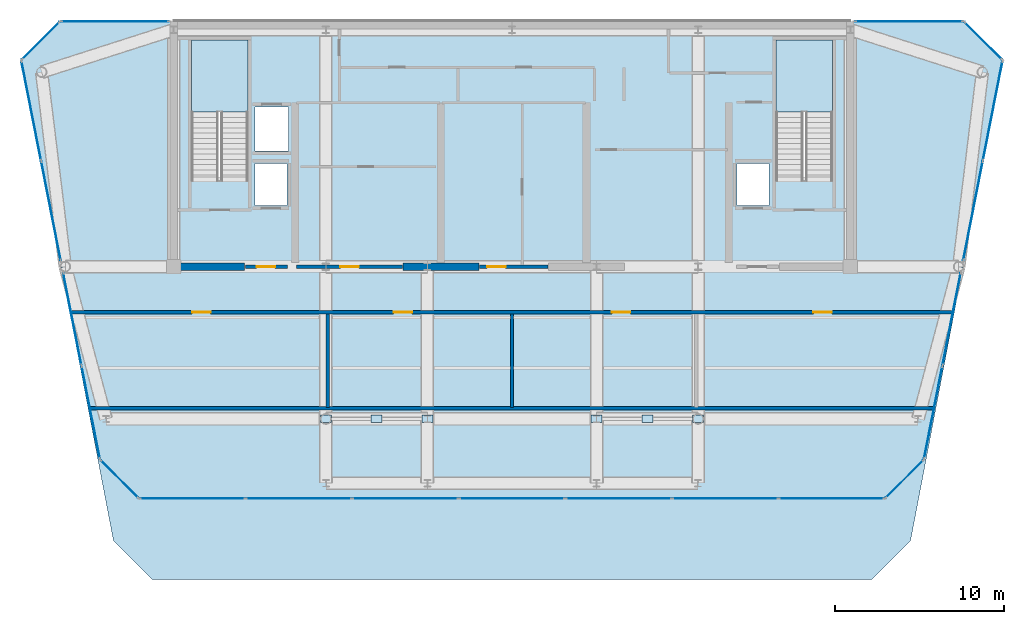
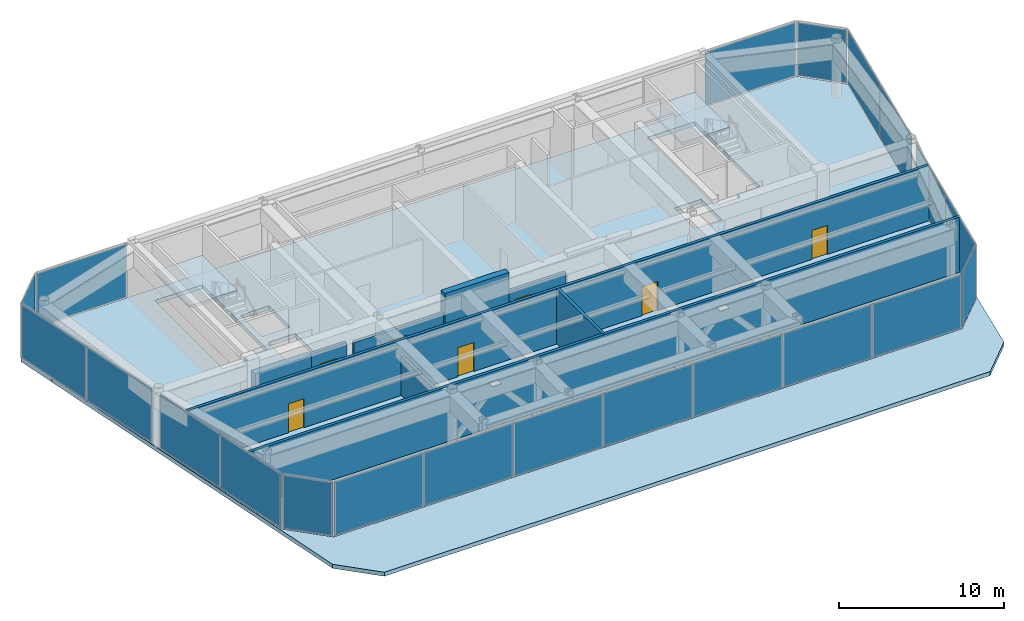
# One storey, part 7 of 12: 27 plates, 9 walls, 7 doors, 4 slabs, 7 openings, 13 elements without a shape of their own.
"""IFC4 building model written with IfcOpenShell, lengths in metres."""

from ifc_helpers import new_model, si_unit, direction, frame, frame_2d, origin, origin_2d, place, context, subcontext, project, spatial, polyline, rectangle, outline, extrude, source, transform, mapped, material, layer, layer_set, type_object, element, fill, aggregate, save


model = new_model("IFC4")

# Units and contexts
model_context = context("Model", 3, precision=1e-05, world=origin(), true_north=direction((0.0, 1.0)))
body_context = subcontext(model_context, "Body", "Model", "MODEL_VIEW")
ifc_project = project(units=[si_unit("LENGTHUNIT", "METRE"), si_unit("AREAUNIT", "SQUARE_METRE"), si_unit("VOLUMEUNIT", "CUBIC_METRE"), si_unit("PLANEANGLEUNIT", "RADIAN"), si_unit("MASSUNIT", "GRAM", prefix="KILO")], contexts=[model_context])

# Site, building, storey
site_placement = place(None, origin())
site = spatial("IfcSite", under=ifc_project, at=site_placement, CompositionType="ELEMENT")
building_placement = place(site_placement, origin())
building = spatial("IfcBuilding", under=site, at=building_placement, Name="Vaeldorn Concourse Tower", CompositionType="ELEMENT")
storey_placement = place(building_placement, frame((0.0, 0.0, 308.39990234375)))
storey = spatial("IfcBuildingStorey", under=building, at=storey_placement, Name="L79", CompositionType="ELEMENT", Elevation=308.39990234375)

# Slab
ifc_material_1 = material(Name="Concrete C40/50", Category="concrete")
ifc_layer_1 = layer(ifc_material_1, 0.300048828125)
ifc_layer_set_1 = layer_set([ifc_layer_1], Name="Concrete C40/50")
slab_type_1 = type_object("IfcSlabType", Name="SL-CROWN-ROOF", PredefinedType="ROOF", material=ifc_layer_set_1)
slab_1_placement = place(storey_placement, frame((0.0, 0.0, -0.2998046875)))
element("IfcSlab", 1, at=slab_1_placement, inside=storey, type_object=slab_type_1, Name="Stepped Crown Terrace Roof Slab L79", PredefinedType="ROOF", context=body_context, shape_type="SweptSolid", body=[
    extrude(outline(polyline([(62.460693359375, 45.88720703125), (58.36181640625, 25.09716796875), (58.361328125, 25.095703125), (58.36083984375, 25.09423828125), (58.360107421875, 25.093017578125), (58.359619140625, 25.091796875), (58.358642578125, 25.090576171875), (58.357666015625, 25.08935546875), (56.0576171875, 22.789306640625), (56.056396484375, 22.788330078125), (56.055419921875, 22.78759765625), (56.05419921875, 22.786865234375), (56.052734375, 22.7861328125), (56.051513671875, 22.78564453125), (56.0498046875, 22.785400390625), (56.048583984375, 22.78515625), (56.047119140625, 22.784912109375), (11.952880859375, 22.784912109375), (11.951416015625, 22.78515625), (11.9501953125, 22.785400390625), (11.948486328125, 22.78564453125), (11.947265625, 22.7861328125), (11.94580078125, 22.786865234375), (11.944580078125, 22.78759765625), (11.943603515625, 22.788330078125), (11.9423828125, 22.789306640625), (9.642333984375, 25.08935546875), (9.641357421875, 25.090576171875), (9.640380859375, 25.091796875), (9.639892578125, 25.093017578125), (9.63916015625, 25.09423828125), (9.638671875, 25.095703125), (9.63818359375, 25.09716796875), (5.539306640625, 45.88720703125), (10.445068359375, 20.300048828125), (12.7451171875, 18.0), (55.2548828125, 18.0), (57.554931640625, 20.300048828125), (62.460693359375, 45.88720703125)])), origin(), (0.0, 0.0, 1.0), 0.2998046875),
])

# Stair, slab
ifc_material_2 = material(Name="Precast concrete C40/50", Category="concrete")
stair_type = type_object("IfcStairType", Name="STR-DOG-28x157", PredefinedType="HALF_TURN_STAIR", material=ifc_material_2)
stair_1_placement = place(storey_placement, origin())
stair_1 = element("IfcStair", 2, at=stair_1_placement, inside=storey, type_object=stair_type, Name="L79 West Core Exit Stair ST-1", PredefinedType="HALF_TURN_STAIR")
ifc_layer_2 = layer(ifc_material_1, 0.199951171875)
ifc_layer_set_2 = layer_set([ifc_layer_2], Name="Concrete C40/50")
slab_type_2 = type_object("IfcSlabType", Name="SL-STAIR-LANDING", PredefinedType="LANDING", material=ifc_layer_set_2)
slab_2_placement = place(storey_placement, frame((0.0, 0.0, 2.0)))
slab_2 = element("IfcSlab", 3, at=slab_2_placement, type_object=slab_type_2, Name="ST-1 landing 1", PredefinedType="LANDING", context=body_context, shape_type="SweptSolid", body=[
    extrude(outline(polyline([(18.39990234375, 45.6298828125), (18.39990234375, 49.89990234375), (15.050048828125, 49.89990234375), (15.050048828125, 45.6298828125), (18.39990234375, 45.6298828125)])), origin(), (0.0, 0.0, 1.0), 0.2001953125),
])
aggregate(stair_1, [slab_2])

stair_2_placement = place(storey_placement, origin())
stair_2 = element("IfcStair", 4, at=stair_2_placement, inside=storey, type_object=stair_type, Name="L79 East Core Exit Stair ST-2", PredefinedType="HALF_TURN_STAIR")
slab_3_placement = place(storey_placement, frame((0.0, 0.0, 2.0)))
slab_3 = element("IfcSlab", 5, at=slab_3_placement, type_object=slab_type_2, Name="ST-2 landing 1", PredefinedType="LANDING", context=body_context, shape_type="SweptSolid", body=[
    extrude(outline(polyline([(52.949951171875, 45.6298828125), (52.949951171875, 49.89990234375), (49.60009765625, 49.89990234375), (49.60009765625, 45.6298828125), (52.949951171875, 45.6298828125)])), origin(), (0.0, 0.0, 1.0), 0.2001953125),
])
aggregate(stair_2, [slab_3])

# Slab
ifc_layer_3 = layer(ifc_material_1, 0.260009765625)
ifc_layer_set_3 = layer_set([ifc_layer_3], Name="Concrete C40/50")
slab_type_3 = type_object("IfcSlabType", Name="SL-TRN-260", PredefinedType="FLOOR", material=ifc_layer_set_3)
slab_4_placement = place(storey_placement, frame((0.0, 0.0, -0.2998046875)))
element("IfcSlab", 6, at=slab_4_placement, inside=storey, type_object=slab_type_3, Name="Structural Floor Slab L79", PredefinedType="FLOOR", context=body_context, shape_type="SweptSolid", body=[
    extrude(outline(polyline([(11.952880859375, 22.800048828125), (56.047119140625, 22.800048828125), (58.346923828125, 25.10009765625), (63.0, 48.699951171875), (60.699951171875, 51.0), (7.300048828125, 51.0), (5.0, 48.699951171875), (9.653076171875, 25.10009765625), (11.952880859375, 22.800048828125)]), holes=[polyline([(18.39990234375, 42.0), (18.39990234375, 49.89990234375), (15.050048828125, 49.89990234375), (15.050048828125, 41.60009765625), (16.800048828125, 41.60009765625), (16.800048828125, 42.0), (18.39990234375, 42.0)]), polyline([(52.949951171875, 42.0), (52.949951171875, 49.89990234375), (49.60009765625, 49.89990234375), (49.60009765625, 41.60009765625), (51.35009765625, 41.60009765625), (51.35009765625, 42.0), (52.949951171875, 42.0)]), polyline([(18.800048828125, 43.35009765625), (20.800048828125, 43.35009765625), (20.800048828125, 45.949951171875), (18.800048828125, 45.949951171875), (18.800048828125, 43.35009765625)]), polyline([(18.800048828125, 40.10009765625), (20.699951171875, 40.10009765625), (20.699951171875, 42.60009765625), (18.800048828125, 42.60009765625), (18.800048828125, 40.10009765625)]), polyline([(47.300048828125, 40.10009765625), (49.199951171875, 40.10009765625), (49.199951171875, 42.60009765625), (47.300048828125, 42.60009765625), (47.300048828125, 40.10009765625)])]), origin(), (0.0, 0.0, 1.0), 0.2998046875),
])

# Plates
ifc_material_3 = material(Name="Steel S460", Category="steel")
ifc_layer_4 = layer(ifc_material_3, 0.034912109375)
ifc_layer_set_4 = layer_set([ifc_layer_4], Name="Steel S460")
plate_type_1 = type_object("IfcPlateType", Name="PL-GUSSET-KN1", PredefinedType="USERDEFINED", material=ifc_layer_set_4)
shared_shape_1 = source(origin(), body_context, "Body", "SweptSolid", [
    extrude(rectangle(XDim=0.64990234375, YDim=0.449951171875, at=origin_2d()), origin(), (0.0, 0.0, 1.0), 0.034912109375),
])
for number, where, z_axis, x_axis, name in (
    (7, (23.0, 27.5, 0.232421875), (0.0, 0.0, 1.0), (1.0, 0.0, 0.0), "Structural Brace Connection Gusset L79-01"),
    (8, (26.0, 27.5, 3.58251953125), (0.0, 0.0, 1.0), (1.0, 0.0, 0.0), "Structural Brace Connection Gusset L79-02"),
    (9, (29.0, 27.5, 0.232421875), (0.0, 0.0, 1.0), (1.0, 0.0, 0.0), "Structural Brace Connection Gusset L79-03"),
    (10, (39.0, 27.5, 0.232421875), (0.0, 0.0, 1.0), (1.0, 0.0, 0.0), "Structural Brace Connection Gusset L79-04"),
    (11, (42.0, 27.5, 3.58251953125), (0.0, 0.0, 1.0), (1.0, 0.0, 0.0), "Structural Brace Connection Gusset L79-05"),
    (12, (45.0, 27.5, 0.232421875), (0.0, 0.0, 1.0), (1.0, 0.0, 0.0), "Structural Brace Connection Gusset L79-06"),
):
    element("IfcPlate", number, at=place(storey_placement, frame(where, z_axis=z_axis, x_axis=x_axis)), inside=storey, type_object=plate_type_1, Name=name, ObjectType="GUSSET PLATE", PredefinedType="USERDEFINED", context=body_context, shape_type="MappedRepresentation", body=[
        mapped(shared_shape_1, transform((0.0, 0.0, 0.0), scale=1.0)),
    ])

# Curtain wall, plates
ifc_material_4 = material(Name="Anodised Bronze Aluminium", Category="aluminium")
ifc_layer_5 = layer(ifc_material_4, 0.22998046875)
ifc_layer_set_5 = layer_set([ifc_layer_5], Name="Anodised Bronze Aluminium")
curtain_wall_type = type_object("IfcCurtainWallType", Name="CW-SYS-07", PredefinedType="NOTDEFINED", material=ifc_layer_set_5)
curtain_wall_1_placement = place(storey_placement, origin())
curtain_wall_1 = element("IfcCurtainWall", 13, at=curtain_wall_1_placement, inside=storey, type_object=curtain_wall_type, Name="Unitised Curtain Wall CW-L79-E01-1", PredefinedType="NOTDEFINED")
ifc_material_5 = material(Name="Bronze Fritted Spandrel Insulated Glass", Category="glass")
ifc_layer_6 = layer(ifc_material_5, 0.035888671875)
ifc_layer_set_6 = layer_set([ifc_layer_6], Name="Bronze Fritted Spandrel Insulated Glass")
plate_type_2 = type_object("IfcPlateType", Name="CWP-SPANDREL-36", PredefinedType="CURTAIN_PANEL", material=ifc_layer_set_6)
shared_shape_2 = source(origin(), body_context, "Body", "SweptSolid", [
    extrude(rectangle(XDim=6.1865234375, YDim=0.035888671875, at=origin_2d()), origin(), (0.0, 0.0, 1.0), 3.949951171875),
])
plate_1_placement = place(storey_placement, frame((15.121337890625, 22.800048828125, 0.0751953125), z_axis=(0.0, 0.0, 1.0), x_axis=(1.0, 0.0, 0.0)))
plate_1 = element("IfcPlate", 14, at=plate_1_placement, type_object=plate_type_2, Name="CW-07 panel 1.1", PredefinedType="CURTAIN_PANEL", context=body_context, shape_type="MappedRepresentation", body=[
    mapped(shared_shape_2, transform((0.0, 0.0, 0.0), scale=1.0)),
])
plate_2_placement = place(storey_placement, frame((52.878662109375, 22.800048828125, 0.0751953125), z_axis=(0.0, 0.0, 1.0), x_axis=(1.0, 0.0, 0.0)))
plate_2 = element("IfcPlate", 15, at=plate_2_placement, type_object=plate_type_2, Name="CW-07 panel 7.1", PredefinedType="CURTAIN_PANEL", context=body_context, shape_type="MappedRepresentation", body=[
    mapped(shared_shape_2, transform((0.0, 0.0, 0.0), scale=1.0)),
])
shared_shape_3 = source(origin(), body_context, "Body", "SweptSolid", [
    extrude(rectangle(XDim=6.22412109375, YDim=0.035888671875, at=origin_2d()), origin(), (0.0, 0.0, 1.0), 3.949951171875),
])
plate_3_placement = place(storey_placement, frame((21.401611328125, 22.800048828125, 0.0751953125), z_axis=(0.0, 0.0, 1.0), x_axis=(1.0, 0.0, 0.0)))
plate_3 = element("IfcPlate", 16, at=plate_3_placement, type_object=plate_type_2, Name="CW-07 panel 2.1", PredefinedType="CURTAIN_PANEL", context=body_context, shape_type="MappedRepresentation", body=[
    mapped(shared_shape_3, transform((0.0, 0.0, 0.0), scale=1.0)),
])
plate_4_placement = place(storey_placement, frame((27.700927734375, 22.800048828125, 0.0751953125), z_axis=(0.0, 0.0, 1.0), x_axis=(1.0, 0.0, 0.0)))
plate_4 = element("IfcPlate", 17, at=plate_4_placement, type_object=plate_type_2, Name="CW-07 panel 3.1", PredefinedType="CURTAIN_PANEL", context=body_context, shape_type="MappedRepresentation", body=[
    mapped(shared_shape_3, transform((0.0, 0.0, 0.0), scale=1.0)),
])
plate_5_placement = place(storey_placement, frame((34.0, 22.800048828125, 0.0751953125), z_axis=(0.0, 0.0, 1.0), x_axis=(1.0, 0.0, 0.0)))
plate_5 = element("IfcPlate", 18, at=plate_5_placement, type_object=plate_type_2, Name="CW-07 panel 4.1", PredefinedType="CURTAIN_PANEL", context=body_context, shape_type="MappedRepresentation", body=[
    mapped(shared_shape_3, transform((0.0, 0.0, 0.0), scale=1.0)),
])
plate_6_placement = place(storey_placement, frame((40.299072265625, 22.800048828125, 0.0751953125), z_axis=(0.0, 0.0, 1.0), x_axis=(1.0, 0.0, 0.0)))
plate_6 = element("IfcPlate", 19, at=plate_6_placement, type_object=plate_type_2, Name="CW-07 panel 5.1", PredefinedType="CURTAIN_PANEL", context=body_context, shape_type="MappedRepresentation", body=[
    mapped(shared_shape_3, transform((0.0, 0.0, 0.0), scale=1.0)),
])
plate_7_placement = place(storey_placement, frame((46.598388671875, 22.800048828125, 0.0751953125), z_axis=(0.0, 0.0, 1.0), x_axis=(1.0, 0.0, 0.0)))
plate_7 = element("IfcPlate", 20, at=plate_7_placement, type_object=plate_type_2, Name="CW-07 panel 6.1", PredefinedType="CURTAIN_PANEL", context=body_context, shape_type="MappedRepresentation", body=[
    mapped(shared_shape_3, transform((0.0, 0.0, 0.0), scale=1.0)),
])
aggregate(curtain_wall_1, [plate_1, plate_3, plate_4, plate_5, plate_6, plate_7, plate_2])

# Curtain wall, plate
curtain_wall_2_placement = place(storey_placement, origin())
curtain_wall_2 = element("IfcCurtainWall", 21, at=curtain_wall_2_placement, inside=storey, type_object=curtain_wall_type, Name="Unitised Curtain Wall CW-L79-E02-1", PredefinedType="NOTDEFINED")
shared_shape_4 = source(origin(), body_context, "Body", "SweptSolid", [
    extrude(rectangle(XDim=3.102783203125, YDim=0.035888671875, at=origin_2d()), origin(), (0.0, 0.0, 1.0), 3.949951171875),
])
plate_8_placement = place(storey_placement, frame((57.197021484375, 23.949951171875, 0.0751953125), z_axis=(0.0, 0.0, 1.0), x_axis=(0.707106781187, 0.707106781187, 0.0)))
plate_8 = element("IfcPlate", 22, at=plate_8_placement, type_object=plate_type_2, Name="CW-07 panel 1.1", PredefinedType="CURTAIN_PANEL", context=body_context, shape_type="MappedRepresentation", body=[
    mapped(shared_shape_4, transform((0.0, 0.0, 0.0), scale=1.0)),
])
aggregate(curtain_wall_2, [plate_8])

curtain_wall_3_placement = place(storey_placement, origin())
curtain_wall_3 = element("IfcCurtainWall", 23, at=curtain_wall_3_placement, inside=storey, type_object=curtain_wall_type, Name="Unitised Curtain Wall CW-L79-E04-1", PredefinedType="NOTDEFINED")
plate_9_placement = place(storey_placement, frame((61.85009765625, 49.85009765625, 0.0751953125), z_axis=(0.0, 0.0, 1.0), x_axis=(-0.707106781187, 0.707106781187, 0.0)))
plate_9 = element("IfcPlate", 24, at=plate_9_placement, type_object=plate_type_2, Name="CW-07 panel 1.1", PredefinedType="CURTAIN_PANEL", context=body_context, shape_type="MappedRepresentation", body=[
    mapped(shared_shape_4, transform((0.0, 0.0, 0.0), scale=1.0)),
])
aggregate(curtain_wall_3, [plate_9])

curtain_wall_4_placement = place(storey_placement, origin())
curtain_wall_4 = element("IfcCurtainWall", 25, at=curtain_wall_4_placement, inside=storey, type_object=curtain_wall_type, Name="Unitised Curtain Wall CW-L79-E06-1", PredefinedType="NOTDEFINED")
plate_10_placement = place(storey_placement, frame((6.14990234375, 49.85009765625, 0.0751953125), z_axis=(0.0, 0.0, 1.0), x_axis=(-0.707106781187, -0.707106781187, 0.0)))
plate_10 = element("IfcPlate", 26, at=plate_10_placement, type_object=plate_type_2, Name="CW-07 panel 1.1", PredefinedType="CURTAIN_PANEL", context=body_context, shape_type="MappedRepresentation", body=[
    mapped(shared_shape_4, transform((0.0, 0.0, 0.0), scale=1.0)),
])
aggregate(curtain_wall_4, [plate_10])

curtain_wall_5_placement = place(storey_placement, origin())
curtain_wall_5 = element("IfcCurtainWall", 27, at=curtain_wall_5_placement, inside=storey, type_object=curtain_wall_type, Name="Unitised Curtain Wall CW-L79-E08-1", PredefinedType="NOTDEFINED")
plate_11_placement = place(storey_placement, frame((10.802978515625, 23.949951171875, 0.0751953125), z_axis=(0.0, 0.0, 1.0), x_axis=(0.707106781187, -0.707106781187, 0.0)))
plate_11 = element("IfcPlate", 28, at=plate_11_placement, type_object=plate_type_2, Name="CW-07 panel 1.1", PredefinedType="CURTAIN_PANEL", context=body_context, shape_type="MappedRepresentation", body=[
    mapped(shared_shape_4, transform((0.0, 0.0, 0.0), scale=1.0)),
])
aggregate(curtain_wall_5, [plate_11])

# Curtain wall, plates
curtain_wall_6_placement = place(storey_placement, origin())
curtain_wall_6 = element("IfcCurtainWall", 29, at=curtain_wall_6_placement, inside=storey, type_object=curtain_wall_type, Name="Unitised Curtain Wall CW-L79-E03-1", PredefinedType="NOTDEFINED")
shared_shape_5 = source(origin(), body_context, "Body", "SweptSolid", [
    extrude(rectangle(XDim=5.53662109375, YDim=0.035888671875, at=origin_2d()), origin(), (0.0, 0.0, 1.0), 3.949951171875),
])
plate_12_placement = place(storey_placement, frame((58.89697265625, 27.8896484375, 0.0751953125), z_axis=(0.0, 0.0, 1.0), x_axis=(0.193434625662, 0.981113166559, 0.0)))
plate_12 = element("IfcPlate", 30, at=plate_12_placement, type_object=plate_type_2, Name="CW-07 panel 1.1", PredefinedType="CURTAIN_PANEL", context=body_context, shape_type="MappedRepresentation", body=[
    mapped(shared_shape_5, transform((0.0, 0.0, 0.0), scale=1.0)),
])
plate_13_placement = place(storey_placement, frame((59.982421875, 33.395263671875, 0.0751953125), z_axis=(0.0, 0.0, 1.0), x_axis=(0.193434625662, 0.981113166559, 0.0)))
plate_13 = element("IfcPlate", 31, at=plate_13_placement, type_object=plate_type_2, Name="CW-07 panel 2.1", PredefinedType="CURTAIN_PANEL", context=body_context, shape_type="MappedRepresentation", body=[
    mapped(shared_shape_5, transform((0.0, 0.0, 0.0), scale=1.0)),
])
aggregate(curtain_wall_6, [plate_12, plate_13])

curtain_wall_7_placement = place(storey_placement, origin())
curtain_wall_7 = element("IfcCurtainWall", 32, at=curtain_wall_7_placement, inside=storey, type_object=curtain_wall_type, Name="Unitised Curtain Wall CW-L79-E07-2", PredefinedType="NOTDEFINED")
plate_14_placement = place(storey_placement, frame((8.017578125, 33.395263671875, 0.0751953125), z_axis=(0.0, 0.0, 1.0), x_axis=(0.193434625662, -0.981113166559, 0.0)))
plate_14 = element("IfcPlate", 33, at=plate_14_placement, type_object=plate_type_2, Name="CW-07 panel 1.1", PredefinedType="CURTAIN_PANEL", context=body_context, shape_type="MappedRepresentation", body=[
    mapped(shared_shape_5, transform((0.0, 0.0, 0.0), scale=1.0)),
])
plate_15_placement = place(storey_placement, frame((9.10302734375, 27.8896484375, 0.0751953125), z_axis=(0.0, 0.0, 1.0), x_axis=(0.193434625662, -0.981113166559, 0.0)))
plate_15 = element("IfcPlate", 34, at=plate_15_placement, type_object=plate_type_2, Name="CW-07 panel 2.1", PredefinedType="CURTAIN_PANEL", context=body_context, shape_type="MappedRepresentation", body=[
    mapped(shared_shape_5, transform((0.0, 0.0, 0.0), scale=1.0)),
])
aggregate(curtain_wall_7, [plate_14, plate_15])

curtain_wall_8_placement = place(storey_placement, origin())
curtain_wall_8 = element("IfcCurtainWall", 35, at=curtain_wall_8_placement, inside=storey, type_object=curtain_wall_type, Name="Unitised Curtain Wall CW-L79-E03-2", PredefinedType="NOTDEFINED")
shared_shape_6 = source(origin(), body_context, "Body", "SweptSolid", [
    extrude(rectangle(XDim=5.9443359375, YDim=0.035888671875, at=origin_2d()), origin(), (0.0, 0.0, 1.0), 3.949951171875),
])
plate_16_placement = place(storey_placement, frame((61.24609375, 39.8046875, 0.0751953125), z_axis=(0.0, 0.0, 1.0), x_axis=(0.193440453575, 0.981112017519, 0.0)))
plate_16 = element("IfcPlate", 36, at=plate_16_placement, type_object=plate_type_2, Name="CW-07 panel 1.1", PredefinedType="CURTAIN_PANEL", context=body_context, shape_type="MappedRepresentation", body=[
    mapped(shared_shape_6, transform((0.0, 0.0, 0.0), scale=1.0)),
])
plate_17_placement = place(storey_placement, frame((62.41064453125, 45.71044921875, 0.0751953125), z_axis=(0.0, 0.0, 1.0), x_axis=(0.193440453575, 0.981112017519, 0.0)))
plate_17 = element("IfcPlate", 37, at=plate_17_placement, type_object=plate_type_2, Name="CW-07 panel 2.1", PredefinedType="CURTAIN_PANEL", context=body_context, shape_type="MappedRepresentation", body=[
    mapped(shared_shape_6, transform((0.0, 0.0, 0.0), scale=1.0)),
])
aggregate(curtain_wall_8, [plate_16, plate_17])

curtain_wall_9_placement = place(storey_placement, origin())
curtain_wall_9 = element("IfcCurtainWall", 38, at=curtain_wall_9_placement, inside=storey, type_object=curtain_wall_type, Name="Unitised Curtain Wall CW-L79-E07-1", PredefinedType="NOTDEFINED")
plate_18_placement = place(storey_placement, frame((5.58935546875, 45.71044921875, 0.0751953125), z_axis=(0.0, 0.0, 1.0), x_axis=(0.193440453575, -0.981112017519, 0.0)))
plate_18 = element("IfcPlate", 39, at=plate_18_placement, type_object=plate_type_2, Name="CW-07 panel 1.1", PredefinedType="CURTAIN_PANEL", context=body_context, shape_type="MappedRepresentation", body=[
    mapped(shared_shape_6, transform((0.0, 0.0, 0.0), scale=1.0)),
])
plate_19_placement = place(storey_placement, frame((6.75390625, 39.8046875, 0.0751953125), z_axis=(0.0, 0.0, 1.0), x_axis=(0.193440453575, -0.981112017519, 0.0)))
plate_19 = element("IfcPlate", 40, at=plate_19_placement, type_object=plate_type_2, Name="CW-07 panel 2.1", PredefinedType="CURTAIN_PANEL", context=body_context, shape_type="MappedRepresentation", body=[
    mapped(shared_shape_6, transform((0.0, 0.0, 0.0), scale=1.0)),
])
aggregate(curtain_wall_9, [plate_18, plate_19])

# Curtain wall, plate
curtain_wall_10_placement = place(storey_placement, origin())
curtain_wall_10 = element("IfcCurtainWall", 41, at=curtain_wall_10_placement, inside=storey, type_object=curtain_wall_type, Name="Unitised Curtain Wall CW-L79-E05-1", PredefinedType="NOTDEFINED")
shared_shape_7 = source(origin(), body_context, "Body", "SweptSolid", [
    extrude(rectangle(XDim=6.330078125, YDim=0.035888671875, at=origin_2d()), origin(), (0.0, 0.0, 1.0), 3.949951171875),
])
plate_20_placement = place(storey_placement, frame((57.4599609375, 51.0, 0.0751953125), z_axis=(0.0, 0.0, 1.0), x_axis=(-1.0, 0.0, 0.0)))
plate_20 = element("IfcPlate", 42, at=plate_20_placement, type_object=plate_type_2, Name="CW-07 panel 1.1", PredefinedType="CURTAIN_PANEL", context=body_context, shape_type="MappedRepresentation", body=[
    mapped(shared_shape_7, transform((0.0, 0.0, 0.0), scale=1.0)),
])
aggregate(curtain_wall_10, [plate_20])

curtain_wall_11_placement = place(storey_placement, origin())
curtain_wall_11 = element("IfcCurtainWall", 43, at=curtain_wall_11_placement, inside=storey, type_object=curtain_wall_type, Name="Unitised Curtain Wall CW-L79-E05-2", PredefinedType="NOTDEFINED")
plate_21_placement = place(storey_placement, frame((10.5400390625, 51.0, 0.0751953125), z_axis=(0.0, 0.0, 1.0), x_axis=(-1.0, 0.0, 0.0)))
plate_21 = element("IfcPlate", 44, at=plate_21_placement, type_object=plate_type_2, Name="CW-07 panel 1.1", PredefinedType="CURTAIN_PANEL", context=body_context, shape_type="MappedRepresentation", body=[
    mapped(shared_shape_7, transform((0.0, 0.0, 0.0), scale=1.0)),
])
aggregate(curtain_wall_11, [plate_21])

# Walls
ifc_material_6 = material(Name="Concrete C50/60", Category="concrete")
ifc_layer_7 = layer(ifc_material_6, 0.449951171875)
ifc_layer_set_7 = layer_set([ifc_layer_7], Name="Concrete C50/60")
wall_type_1 = type_object("IfcWallType", Name="WL-CORE-450", PredefinedType="SHEAR", material=ifc_layer_set_7)
wall_1_placement = place(storey_placement, frame((14.2451171875, 36.5, 0.0), z_axis=(0.0, 0.0, 1.0), x_axis=(1.0, 0.0, 0.0)))
element("IfcWall", 45, at=wall_1_placement, inside=storey, type_object=wall_type_1, Name="Rear Core Shear Wall L79 S1", PredefinedType="SHEAR", context=body_context, shape_type="SweptSolid", body=[
    extrude(rectangle(XDim=3.954833984375, YDim=0.449951171875, at=frame_2d((1.9775390625, 0.0))), origin(), (0.0, 0.0, 1.0), 3.10009765625),
])
wall_2_placement = place(storey_placement, frame((27.550048828125, 36.5, 0.0), z_axis=(0.0, 0.0, 1.0), x_axis=(1.0, 0.0, 0.0)))
element("IfcWall", 46, at=wall_2_placement, inside=storey, type_object=wall_type_1, Name="Rear Core Shear Wall L79 S2", PredefinedType="SHEAR", context=body_context, shape_type="SweptSolid", body=[
    extrude(rectangle(XDim=4.5, YDim=0.449951171875, at=frame_2d((2.25, 0.0))), origin(), (0.0, 0.0, 1.0), 4.400146484375),
])

# Wall, opening, door
ifc_layer_8 = layer(ifc_material_6, 0.199951171875)
ifc_layer_set_8 = layer_set([ifc_layer_8], Name="Concrete C50/60")
wall_type_2 = type_object("IfcWallType", Name="WL-SHAFT-200", PredefinedType="SOLIDWALL", material=ifc_layer_set_8)
wall_3_placement = place(storey_placement, frame((18.25, 36.5, 0.0), z_axis=(0.0, 0.0, 1.0), x_axis=(1.0, 0.0, 0.0)))
wall_3 = element("IfcWall", 47, at=wall_3_placement, inside=storey, type_object=wall_type_2, Name="Interior Wall CW-L79-FF1S", PredefinedType="SOLIDWALL", context=body_context, shape_type="SweptSolid", body=[
    extrude(rectangle(XDim=2.469970703125, YDim=0.199951171875, at=frame_2d((1.23486328125, 0.0))), origin(), (0.0, 0.0, 1.0), 3.090087890625),
])
opening_1_placement = place(wall_3_placement, frame((0.64990234375, 0.0, 0.0)))
opening_1 = element("IfcOpeningElement", 48, at=opening_1_placement, cuts=wall_3, Name="Opening D-01", PredefinedType="OPENING", context=body_context, shape_type="SweptSolid", body=[
    extrude(rectangle(XDim=1.10009765625, YDim=2.14990234375, at=frame_2d((0.550048828125, 1.074951171875))), frame((0.0, 0.10986328125, 0.0), z_axis=(0.0, -1.0, 0.0), x_axis=(1.0, 0.0, 0.0)), (0.0, 0.0, 1.0), 0.219970703125),
])
ifc_material_7 = material(Name="Fire-Rated Timber and Steel Leaf", Category="steel")
door_type = type_object("IfcDoorType", Name="DR-FD60-1100", OperationType="NOTDEFINED", PredefinedType="DOOR", material=ifc_material_7)
shared_shape_8 = source(origin(), body_context, "Body", "SweptSolid", [
    extrude(rectangle(XDim=1.10009765625, YDim=2.14990234375, at=frame_2d((0.550048828125, 1.074951171875))), frame((0.0, 0.02490234375, 0.0), z_axis=(0.0, -1.0, 0.0), x_axis=(1.0, 0.0, 0.0)), (0.0, 0.0, 1.0), 0.050048828125),
])
door_1_placement = place(opening_1_placement, origin())
door_1 = element("IfcDoor", 49, at=door_1_placement, inside=storey, type_object=door_type, Name="Interior Door DR-L79-FF1E", OperationType="SINGLE_SWING_RIGHT", OverallHeight=2.14990234375, OverallWidth=1.10009765625, PredefinedType="DOOR", context=body_context, shape_type="MappedRepresentation", body=[
    mapped(shared_shape_8, transform((0.0, 0.0, 0.0), scale=1.0)),
])
fill(opening_1, door_1)

wall_4_placement = place(storey_placement, frame((21.25, 36.5, 0.0), z_axis=(0.0, 0.0, 1.0), x_axis=(1.0, 0.0, 0.0)))
wall_4 = element("IfcWall", 50, at=wall_4_placement, inside=storey, type_object=wall_type_2, Name="Interior Wall CW-L79-R1S", PredefinedType="SOLIDWALL", context=body_context, shape_type="SweptSolid", body=[
    extrude(rectangle(XDim=6.27001953125, YDim=0.199951171875, at=frame_2d((3.135009765625, 0.0))), origin(), (0.0, 0.0, 1.0), 2.89013671875),
])
opening_2_placement = place(wall_4_placement, frame((2.60009765625, 0.0, 0.0)))
opening_2 = element("IfcOpeningElement", 51, at=opening_2_placement, cuts=wall_4, Name="Opening D-01", PredefinedType="OPENING", context=body_context, shape_type="SweptSolid", body=[
    extrude(rectangle(XDim=1.10009765625, YDim=2.14990234375, at=frame_2d((0.550048828125, 1.074951171875))), frame((0.0, 0.10986328125, 0.0), z_axis=(0.0, -1.0, 0.0), x_axis=(1.0, 0.0, 0.0)), (0.0, 0.0, 1.0), 0.219970703125),
])
door_2_placement = place(opening_2_placement, origin())
door_2 = element("IfcDoor", 52, at=door_2_placement, inside=storey, type_object=door_type, Name="Interior Door DR-L79-R1S", OperationType="SINGLE_SWING_LEFT", OverallHeight=2.14990234375, OverallWidth=1.10009765625, PredefinedType="DOOR", context=body_context, shape_type="MappedRepresentation", body=[
    mapped(shared_shape_8, transform((0.0, 0.0, 0.0), scale=1.0)),
])
fill(opening_2, door_2)

wall_5_placement = place(storey_placement, frame((32.080078125, 36.5, 0.0), z_axis=(0.0, 0.0, 1.0), x_axis=(1.0, 0.0, 0.0)))
wall_5 = element("IfcWall", 53, at=wall_5_placement, inside=storey, type_object=wall_type_2, Name="Interior Wall CW-L79-R2S", PredefinedType="SOLIDWALL", context=body_context, shape_type="SweptSolid", body=[
    extrude(rectangle(XDim=4.0400390625, YDim=0.199951171875, at=frame_2d((2.02001953125, 0.0))), origin(), (0.0, 0.0, 1.0), 2.89013671875),
])
opening_3_placement = place(wall_5_placement, frame((0.449951171875, 0.0, 0.0)))
opening_3 = element("IfcOpeningElement", 54, at=opening_3_placement, cuts=wall_5, Name="Opening D-01", PredefinedType="OPENING", context=body_context, shape_type="SweptSolid", body=[
    extrude(rectangle(XDim=1.10009765625, YDim=2.14990234375, at=frame_2d((0.550048828125, 1.074951171875))), frame((0.0, 0.10986328125, 0.0), z_axis=(0.0, -1.0, 0.0), x_axis=(1.0, 0.0, 0.0)), (0.0, 0.0, 1.0), 0.219970703125),
])
door_3_placement = place(opening_3_placement, origin())
door_3 = element("IfcDoor", 55, at=door_3_placement, inside=storey, type_object=door_type, Name="Interior Door DR-L79-R2W", OperationType="SINGLE_SWING_LEFT", OverallHeight=2.14990234375, OverallWidth=1.10009765625, PredefinedType="DOOR", context=body_context, shape_type="MappedRepresentation", body=[
    mapped(shared_shape_8, transform((0.0, 0.0, 0.0), scale=1.0)),
])
fill(opening_3, door_3)

# Wall, openings, doors
wall_6_placement = place(storey_placement, frame((7.977783203125, 33.800048828125, 0.0), z_axis=(0.0, 0.0, 1.0), x_axis=(1.0, 0.0, 0.0)))
wall_6 = element("IfcWall", 56, at=wall_6_placement, inside=storey, type_object=wall_type_2, Name="Interior Wall PW-L79-PCOR", PredefinedType="SOLIDWALL", context=body_context, shape_type="SweptSolid", body=[
    extrude(rectangle(XDim=52.04443359375, YDim=0.199951171875, at=frame_2d((26.022216796875, 0.0))), origin(), (0.0, 0.0, 1.0), 4.10009765625),
])
opening_4_placement = place(wall_6_placement, frame((7.111083984375, 0.0, 0.0)))
opening_4 = element("IfcOpeningElement", 57, at=opening_4_placement, cuts=wall_6, Name="Opening D-01", PredefinedType="OPENING", context=body_context, shape_type="SweptSolid", body=[
    extrude(rectangle(XDim=1.10009765625, YDim=2.14990234375, at=frame_2d((0.550048828125, 1.074951171875))), frame((0.0, 0.10986328125, 0.0), z_axis=(0.0, -1.0, 0.0), x_axis=(1.0, 0.0, 0.0)), (0.0, 0.0, 1.0), 0.219970703125),
])
opening_5_placement = place(wall_6_placement, frame((19.02197265625, 0.0, 0.0)))
opening_5 = element("IfcOpeningElement", 58, at=opening_5_placement, cuts=wall_6, Name="Opening D-01", PredefinedType="OPENING", context=body_context, shape_type="SweptSolid", body=[
    extrude(rectangle(XDim=1.10009765625, YDim=2.14990234375, at=frame_2d((0.550048828125, 1.074951171875))), frame((0.0, 0.10986328125, 0.0), z_axis=(0.0, -1.0, 0.0), x_axis=(1.0, 0.0, 0.0)), (0.0, 0.0, 1.0), 0.219970703125),
])
opening_6_placement = place(wall_6_placement, frame((31.922119140625, 0.0, 0.0)))
opening_6 = element("IfcOpeningElement", 59, at=opening_6_placement, cuts=wall_6, Name="Opening D-01", PredefinedType="OPENING", context=body_context, shape_type="SweptSolid", body=[
    extrude(rectangle(XDim=1.10009765625, YDim=2.14990234375, at=frame_2d((0.550048828125, 1.074951171875))), frame((0.0, 0.10986328125, 0.0), z_axis=(0.0, -1.0, 0.0), x_axis=(1.0, 0.0, 0.0)), (0.0, 0.0, 1.0), 0.219970703125),
])
opening_7_placement = place(wall_6_placement, frame((43.8330078125, 0.0, 0.0)))
opening_7 = element("IfcOpeningElement", 60, at=opening_7_placement, cuts=wall_6, Name="Opening D-01", PredefinedType="OPENING", context=body_context, shape_type="SweptSolid", body=[
    extrude(rectangle(XDim=1.10009765625, YDim=2.14990234375, at=frame_2d((0.550048828125, 1.074951171875))), frame((0.0, 0.10986328125, 0.0), z_axis=(0.0, -1.0, 0.0), x_axis=(1.0, 0.0, 0.0)), (0.0, 0.0, 1.0), 0.219970703125),
])
door_4_placement = place(opening_4_placement, origin())
door_4 = element("IfcDoor", 61, at=door_4_placement, inside=storey, type_object=door_type, Name="Interior Door DR-L79-PL1", OperationType="SINGLE_SWING_LEFT", OverallHeight=2.14990234375, OverallWidth=1.10009765625, PredefinedType="DOOR", context=body_context, shape_type="MappedRepresentation", body=[
    mapped(shared_shape_8, transform((0.0, 0.0, 0.0), scale=1.0)),
])
fill(opening_4, door_4)
door_5_placement = place(opening_5_placement, origin())
door_5 = element("IfcDoor", 62, at=door_5_placement, inside=storey, type_object=door_type, Name="Interior Door DR-L79-PL2", OperationType="SINGLE_SWING_RIGHT", OverallHeight=2.14990234375, OverallWidth=1.10009765625, PredefinedType="DOOR", context=body_context, shape_type="MappedRepresentation", body=[
    mapped(shared_shape_8, transform((0.0, 0.0, 0.0), scale=1.0)),
])
fill(opening_5, door_5)
door_6_placement = place(opening_6_placement, origin())
door_6 = element("IfcDoor", 63, at=door_6_placement, inside=storey, type_object=door_type, Name="Interior Door DR-L79-PL3", OperationType="SINGLE_SWING_LEFT", OverallHeight=2.14990234375, OverallWidth=1.10009765625, PredefinedType="DOOR", context=body_context, shape_type="MappedRepresentation", body=[
    mapped(shared_shape_8, transform((0.0, 0.0, 0.0), scale=1.0)),
])
fill(opening_6, door_6)
door_7_placement = place(opening_7_placement, origin())
door_7 = element("IfcDoor", 64, at=door_7_placement, inside=storey, type_object=door_type, Name="Interior Door DR-L79-PL4", OperationType="SINGLE_SWING_RIGHT", OverallHeight=2.14990234375, OverallWidth=1.10009765625, PredefinedType="DOOR", context=body_context, shape_type="MappedRepresentation", body=[
    mapped(shared_shape_8, transform((0.0, 0.0, 0.0), scale=1.0)),
])
fill(opening_7, door_7)

# Walls
wall_7_placement = place(storey_placement, frame((9.093505859375, 28.139892578125, 0.0), z_axis=(0.0, 0.0, 1.0), x_axis=(1.0, 0.0, 0.0)))
element("IfcWall", 65, at=wall_7_placement, inside=storey, type_object=wall_type_2, Name="Interior Wall PW-L79-CSN", PredefinedType="SOLIDWALL", context=body_context, shape_type="SweptSolid", body=[
    extrude(rectangle(XDim=49.81298828125, YDim=0.199951171875, at=frame_2d((24.906494140625, 0.0))), origin(), (0.0, 0.0, 1.0), 4.10009765625),
])
wall_8_placement = place(storey_placement, frame((23.10009765625, 28.179931640625, 0.0), z_axis=(0.0, 0.0, 1.0), x_axis=(0.0, 1.0, 0.0)))
element("IfcWall", 66, at=wall_8_placement, inside=storey, type_object=wall_type_2, Name="Interior Wall PW-L79-PD1", PredefinedType="SOLIDWALL", context=body_context, shape_type="SweptSolid", body=[
    extrude(rectangle(XDim=5.52001953125, YDim=0.199951171875, at=frame_2d((2.760009765625, 0.0))), origin(), (0.0, 0.0, 1.0), 2.89013671875),
])
wall_9_placement = place(storey_placement, frame((34.0, 28.179931640625, 0.0), z_axis=(0.0, 0.0, 1.0), x_axis=(0.0, 1.0, 0.0)))
element("IfcWall", 67, at=wall_9_placement, inside=storey, type_object=wall_type_2, Name="Interior Wall PW-L79-PD2", PredefinedType="SOLIDWALL", context=body_context, shape_type="SweptSolid", body=[
    extrude(rectangle(XDim=5.52001953125, YDim=0.199951171875, at=frame_2d((2.760009765625, 0.0))), origin(), (0.0, 0.0, 1.0), 4.10009765625),
])

save(model, "model.ifc")
